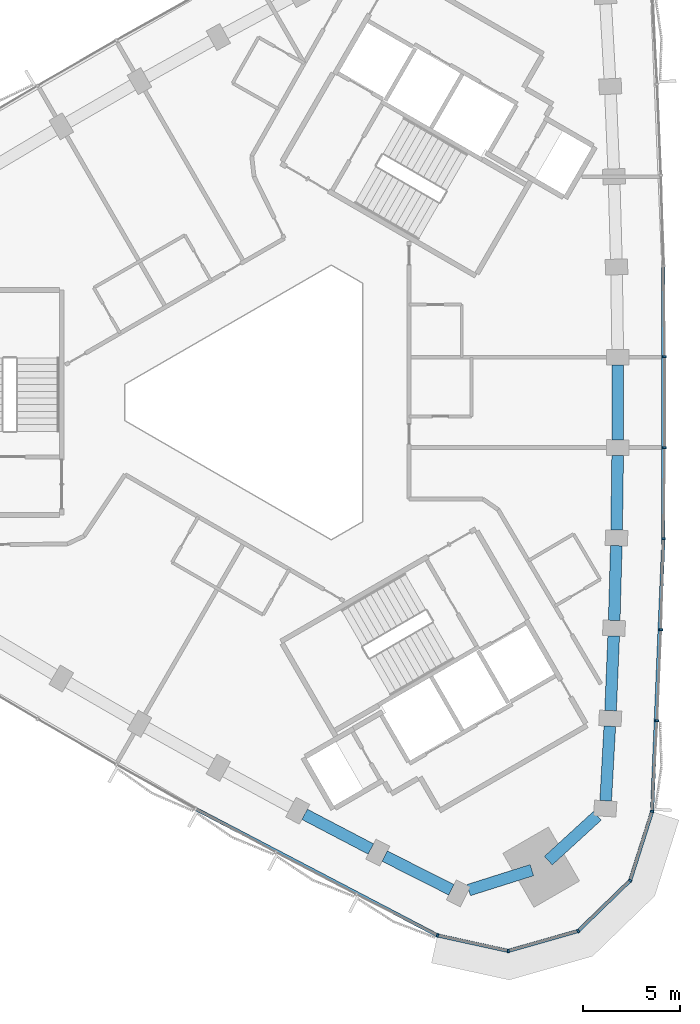
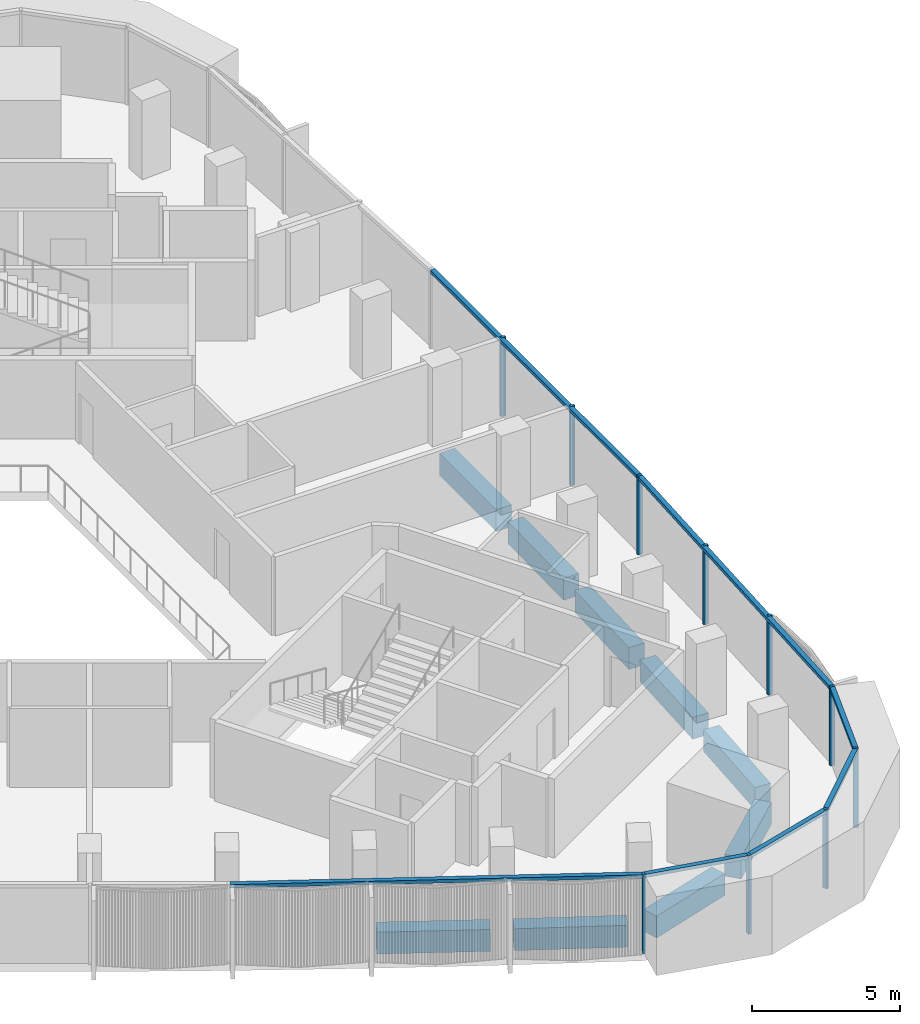
# One storey, part 3 of 13: 17 members, 9 beams, 2 elements without a shape of their own.
"""IFC4 building model written with IfcOpenShell, lengths in metres."""

from ifc_helpers import new_model, si_unit, direction, frame, origin, origin_2d, place, context, subcontext, project, spatial, rectangle, extrude, material, material_profile, profile_set, type_object, element, aggregate, save


model = new_model("IFC4")

# Units and contexts
model_context = context("Model", 3, precision=1e-05, world=origin(), true_north=direction((0.0, 1.0)))
body_context = subcontext(model_context, "Body", "Model", "MODEL_VIEW")
ifc_project = project(units=[si_unit("LENGTHUNIT", "METRE"), si_unit("AREAUNIT", "SQUARE_METRE"), si_unit("VOLUMEUNIT", "CUBIC_METRE"), si_unit("PLANEANGLEUNIT", "RADIAN"), si_unit("MASSUNIT", "GRAM", prefix="KILO")], contexts=[model_context])

# Site, building, storey
site_placement = place(None, origin())
site = spatial("IfcSite", under=ifc_project, at=site_placement, CompositionType="ELEMENT")
building_placement = place(site_placement, origin())
building = spatial("IfcBuilding", under=site, at=building_placement, Name="Tamra Quay Hotel Tower", CompositionType="ELEMENT")
storey_placement = place(building_placement, frame((0.0, 0.0, 193.60009765625)))
storey = spatial("IfcBuildingStorey", under=building, at=storey_placement, Name="L48", CompositionType="ELEMENT", Elevation=193.60009765625)

# Curtain wall, members
ifc_material_1 = material(Name="Aluminium 6063 anodised dark grey", Category="aluminium")
curtain_wall_type_1 = type_object("IfcCurtainWallType", Name="CW1 CURTAIN WALL", PredefinedType="NOTDEFINED", material=ifc_material_1)
curtain_wall_1_placement = place(storey_placement, origin())
curtain_wall_1 = element("IfcCurtainWall", 1, at=curtain_wall_1_placement, inside=storey, type_object=curtain_wall_type_1, Name="CW1 east face L48", PredefinedType="NOTDEFINED")
ifc_material_profile_1 = material_profile(ifc_material_1, rectangle(XDim=0.179931640625, YDim=0.10009765625, at=origin_2d()), Name="MULLION 100X180")
ifc_profile_set_1 = profile_set([ifc_material_profile_1], Name="Aluminium 6063 anodised dark grey")
member_type_1 = type_object("IfcMemberType", Name="MULLION CW1 Z4", PredefinedType="MULLION", material=ifc_profile_set_1)
member_1_placement = place(storey_placement, frame((19.4755859375, -21.00537109375, 0.0), z_axis=(0.0, 0.0, 1.0), x_axis=(0.98350948997, -0.180856526394, 0.0)))
member_1 = element("IfcMember", 2, at=member_1_placement, type_object=member_type_1, Name="CW1 mullion L48.E.1", PredefinedType="MULLION", context=body_context, shape_type="SweptSolid", body=[
    extrude(rectangle(XDim=0.179931640625, YDim=0.10009765625, at=origin_2d()), origin(), (0.0, 0.0, 1.0), 3.25),
])
member_2_placement = place(storey_placement, frame((19.734375, -16.342041015625, 0.0), z_axis=(0.0, 0.0, 1.0), x_axis=(0.998822750777, -0.048508891255, 0.0)))
member_2 = element("IfcMember", 3, at=member_2_placement, type_object=member_type_1, Name="CW1 mullion L48.E.2", PredefinedType="MULLION", context=body_context, shape_type="SweptSolid", body=[
    extrude(rectangle(XDim=0.179931640625, YDim=0.10009765625, at=origin_2d()), origin(), (0.0, 0.0, 1.0), 3.25),
])
member_3_placement = place(storey_placement, frame((19.9287109375, -11.674560546875, 0.0), z_axis=(0.0, 0.0, 1.0), x_axis=(0.999398564951, -0.034677202512, 0.0)))
member_3 = element("IfcMember", 4, at=member_3_placement, type_object=member_type_1, Name="CW1 mullion L48.E.3", PredefinedType="MULLION", context=body_context, shape_type="SweptSolid", body=[
    extrude(rectangle(XDim=0.179931640625, YDim=0.10009765625, at=origin_2d()), origin(), (0.0, 0.0, 1.0), 3.25),
])
member_4_placement = place(storey_placement, frame((20.058349609375, -7.006591796875, 0.0), z_axis=(0.0, 0.0, 1.0), x_axis=(0.999783229349, -0.020820526248, 0.0)))
member_4 = element("IfcMember", 5, at=member_4_placement, type_object=member_type_1, Name="CW1 mullion L48.E.4", PredefinedType="MULLION", context=body_context, shape_type="SweptSolid", body=[
    extrude(rectangle(XDim=0.179931640625, YDim=0.10009765625, at=origin_2d()), origin(), (0.0, 0.0, 1.0), 3.25),
])
member_5_placement = place(storey_placement, frame((20.123291015625, -2.335693359375, 0.0), z_axis=(0.0, 0.0, 1.0), x_axis=(0.999975894313, -0.006943399247, 0.0)))
member_5 = element("IfcMember", 6, at=member_5_placement, type_object=member_type_1, Name="CW1 mullion L48.E.5", PredefinedType="MULLION", context=body_context, shape_type="SweptSolid", body=[
    extrude(rectangle(XDim=0.179931640625, YDim=0.10009765625, at=origin_2d()), origin(), (0.0, 0.0, 1.0), 3.25),
])
member_6_placement = place(storey_placement, frame((20.123291015625, 2.335693359375, 0.0), z_axis=(0.0, 0.0, 1.0), x_axis=(0.999975894313, 0.006943399247, 0.0)))
member_6 = element("IfcMember", 7, at=member_6_placement, type_object=member_type_1, Name="CW1 mullion L48.E.6", PredefinedType="MULLION", context=body_context, shape_type="SweptSolid", body=[
    extrude(rectangle(XDim=0.179931640625, YDim=0.10009765625, at=origin_2d()), origin(), (0.0, 0.0, 1.0), 3.25),
])

curtain_wall_type_2 = type_object("IfcCurtainWallType", Name="CW3 CURTAIN WALL", PredefinedType="NOTDEFINED", material=ifc_material_1)
curtain_wall_2_placement = place(storey_placement, origin())
curtain_wall_2 = element("IfcCurtainWall", 8, at=curtain_wall_2_placement, inside=storey, type_object=curtain_wall_type_2, Name="CW3 south-west face L48", PredefinedType="NOTDEFINED")
ifc_material_profile_2 = material_profile(ifc_material_1, rectangle(XDim=0.179931640625, YDim=0.10009765625, at=origin_2d()), Name="MULLION 100X180")
ifc_profile_set_2 = profile_set([ifc_material_profile_2], Name="Aluminium 6063 anodised dark grey")
member_type_2 = type_object("IfcMemberType", Name="MULLION CW3 Z4", PredefinedType="MULLION", material=ifc_profile_set_2)
member_7_placement = place(storey_placement, frame((8.453369140625, -27.369140625, 0.0), z_axis=(0.0, 0.0, 1.0), x_axis=(-0.335128398687, -0.942172466374, 0.0)))
member_7 = element("IfcMember", 9, at=member_7_placement, type_object=member_type_2, Name="CW3 mullion L48.SW.10", PredefinedType="MULLION", context=body_context, shape_type="SweptSolid", body=[
    extrude(rectangle(XDim=0.179931640625, YDim=0.10009765625, at=origin_2d()), origin(), (0.0, 0.0, 1.0), 3.25),
])
member_8_placement = place(storey_placement, frame((12.091064453125, -28.164794921875, 0.0), z_axis=(0.0, 0.0, 1.0), x_axis=(0.030975337936, -0.999520149091, 0.0)))
member_8 = element("IfcMember", 10, at=member_8_placement, type_object=member_type_2, Name="CW3 mullion L48.SW.11", PredefinedType="MULLION", context=body_context, shape_type="SweptSolid", body=[
    extrude(rectangle(XDim=0.179931640625, YDim=0.10009765625, at=origin_2d()), origin(), (0.0, 0.0, 1.0), 3.25),
])
member_9_placement = place(storey_placement, frame((15.67236328125, -27.145263671875, 0.0), z_axis=(0.0, 0.0, 1.0), x_axis=(0.5, -0.866025403784, 0.0)))
member_9 = element("IfcMember", 11, at=member_9_placement, type_object=member_type_2, Name="CW3 mullion L48.SW.12", PredefinedType="MULLION", context=body_context, shape_type="SweptSolid", body=[
    extrude(rectangle(XDim=0.179931640625, YDim=0.10009765625, at=origin_2d()), origin(), (0.0, 0.0, 1.0), 3.25),
])
member_10_placement = place(storey_placement, frame((18.345947265625, -24.553466796875, 0.0), z_axis=(0.0, 0.0, 1.0), x_axis=(0.85012217174, -0.526585504089, 0.0)))
member_10 = element("IfcMember", 12, at=member_10_placement, type_object=member_type_2, Name="CW3 mullion L48.SW.13", PredefinedType="MULLION", context=body_context, shape_type="SweptSolid", body=[
    extrude(rectangle(XDim=0.179931640625, YDim=0.10009765625, at=origin_2d()), origin(), (0.0, 0.0, 1.0), 3.25),
])

# Beams
ifc_material_2 = material(Name="Concrete M60", Category="concrete")
ifc_material_profile_3 = material_profile(ifc_material_2, rectangle(XDim=0.60009765625, YDim=0.89990234375, at=origin_2d()), Name="SPANDREL BEAM RC 600x900")
ifc_profile_set_3 = profile_set([ifc_material_profile_3], Name="Concrete M60")
beam_type = type_object("IfcBeamType", Name="SPANDREL BEAM RC 600x900", PredefinedType="SPANDREL", material=ifc_profile_set_3)
beam_1_placement = place(storey_placement, frame((17.091796875, -20.456787109375, -0.800048828125), z_axis=(0.055346700292, 0.99846719664, 0.0), x_axis=(-0.99846719664, 0.055346700292, 0.0)))
element("IfcBeam", 13, at=beam_1_placement, inside=storey, type_object=beam_type, Name="BM-SP4-000-L48", PredefinedType="SPANDREL", context=body_context, shape_type="SweptSolid", body=[
    extrude(rectangle(XDim=0.60009765625, YDim=0.89990234375, at=origin_2d()), origin(), (0.0, 0.0, 1.0), 3.837646484375),
])
beam_2_placement = place(storey_placement, frame((17.343017578125, -15.82568359375, -0.800048828125), z_axis=(0.041609373826, 0.999133954988, 0.0), x_axis=(-0.999133954988, 0.041609373826, 0.0)))
element("IfcBeam", 14, at=beam_2_placement, inside=storey, type_object=beam_type, Name="BM-SP4-001-L48", PredefinedType="SPANDREL", context=body_context, shape_type="SweptSolid", body=[
    extrude(rectangle(XDim=0.60009765625, YDim=0.89990234375, at=origin_2d()), origin(), (0.0, 0.0, 1.0), 3.83740234375),
])
beam_3_placement = place(storey_placement, frame((17.530517578125, -11.192138671875, -0.800048828125), z_axis=(0.02773528523, 0.999615302981, 0.0), x_axis=(-0.999615302981, 0.02773528523, 0.0)))
element("IfcBeam", 15, at=beam_3_placement, inside=storey, type_object=beam_type, Name="BM-SP4-002-L48", PredefinedType="SPANDREL", context=body_context, shape_type="SweptSolid", body=[
    extrude(rectangle(XDim=0.60009765625, YDim=0.89990234375, at=origin_2d()), origin(), (0.0, 0.0, 1.0), 3.837890625),
])
for number, where, z_axis, x_axis, name in (
    (16, (17.65380859375, -6.555908203125, -0.800048828125), (0.01380539035, 0.999904701058, 0.0), (-0.999904701058, 0.01380539035, 0.0), "BM-SP4-003-L48"),
    (17, (17.71240234375, -1.918701171875, -0.800048828125), (0.0, 1.0, 0.0), (-1.0, 0.0, 0.0), "BM-SP4-004-L48"),
    (18, (1.6337890625, -21.153564453125, -0.800048828125), (0.886043134182, -0.463602808845, 0.0), (0.463602808845, 0.886043134182, 0.0), "BM-SP4-029-L48"),
):
    element("IfcBeam", number, at=place(storey_placement, frame(where, z_axis=z_axis, x_axis=x_axis)), inside=storey, type_object=beam_type, Name=name, PredefinedType="SPANDREL", context=body_context, shape_type="SweptSolid", body=[
        extrude(rectangle(XDim=0.60009765625, YDim=0.89990234375, at=origin_2d()), origin(), (0.0, 0.0, 1.0), 3.83740234375),
    ])
beam_4_placement = place(storey_placement, frame((5.745361328125, -23.29833984375, -0.800048828125), z_axis=(0.892407883039, -0.451229620359, 0.0), x_axis=(0.451229620359, 0.892407883039, 0.0)))
element("IfcBeam", 19, at=beam_4_placement, inside=storey, type_object=beam_type, Name="BM-SP4-030-L48", PredefinedType="SPANDREL", context=body_context, shape_type="SweptSolid", body=[
    extrude(rectangle(XDim=0.60009765625, YDim=0.89990234375, at=origin_2d()), origin(), (0.0, 0.0, 1.0), 3.837646484375),
])
beam_5_placement = place(storey_placement, frame((10.057373046875, -25.043212890625, -0.800048828125), z_axis=(0.953502415748, 0.301385373174, 0.0), x_axis=(-0.301385373174, 0.953502415748, 0.0)))
element("IfcBeam", 20, at=beam_5_placement, inside=storey, type_object=beam_type, Name="BM-SP4-031-L48", PredefinedType="SPANDREL", context=body_context, shape_type="SweptSolid", body=[
    extrude(rectangle(XDim=0.60009765625, YDim=0.89990234375, at=origin_2d()), origin(), (0.0, 0.0, 1.0), 3.40380859375),
])
beam_6_placement = place(storey_placement, frame((14.14794921875, -23.52978515625, -0.800048828125), z_axis=(0.737716497183, 0.675110635218, 0.0), x_axis=(-0.675110635218, 0.737716497183, 0.0)))
element("IfcBeam", 21, at=beam_6_placement, inside=storey, type_object=beam_type, Name="BM-SP4-032-L48", PredefinedType="SPANDREL", context=body_context, shape_type="SweptSolid", body=[
    extrude(rectangle(XDim=0.60009765625, YDim=0.89990234375, at=origin_2d()), origin(), (0.0, 0.0, 1.0), 3.404296875),
])

# Member
ifc_material_profile_4 = material_profile(ifc_material_1, rectangle(XDim=0.179931640625, YDim=0.139892578125, at=origin_2d()), Name="TRANSOM 180X140")
ifc_profile_set_4 = profile_set([ifc_material_profile_4], Name="Aluminium 6063 anodised dark grey")
member_type_3 = type_object("IfcMemberType", Name="TRANSOM CW1 Z4", PredefinedType="USERDEFINED", material=ifc_profile_set_4)
member_11_placement = place(storey_placement, frame((19.478515625, -20.95556640625, 3.179931640625), z_axis=(0.041576525187, 0.999135322443, 0.0), x_axis=(-0.999135322443, 0.041576525187, 0.0)))
member_11 = element("IfcMember", 22, at=member_11_placement, type_object=member_type_3, Name="CW1 transom L48.E.1", ObjectType="TRANSOM", PredefinedType="USERDEFINED", context=body_context, shape_type="SweptSolid", body=[
    extrude(rectangle(XDim=0.179931640625, YDim=0.139892578125, at=origin_2d()), origin(), (0.0, 0.0, 1.0), 13.910888671875),
])

member_12_placement = place(storey_placement, frame((20.05908203125, -6.956787109375, 3.179931640625), z_axis=(0.0, 1.0, 0.0), x_axis=(-1.0, 0.0, 0.0)))
member_12 = element("IfcMember", 23, at=member_12_placement, type_object=member_type_3, Name="CW1 transom L48.E.4", ObjectType="TRANSOM", PredefinedType="USERDEFINED", context=body_context, shape_type="SweptSolid", body=[
    extrude(rectangle(XDim=0.179931640625, YDim=0.139892578125, at=origin_2d()), origin(), (0.0, 0.0, 1.0), 13.91357421875),
])

aggregate(curtain_wall_1, [member_1, member_11, member_2, member_3, member_4, member_12, member_5, member_6])

ifc_material_profile_5 = material_profile(ifc_material_1, rectangle(XDim=0.179931640625, YDim=0.139892578125, at=origin_2d()), Name="TRANSOM 180X140")
ifc_profile_set_5 = profile_set([ifc_material_profile_5], Name="Aluminium 6063 anodised dark grey")
member_type_4 = type_object("IfcMemberType", Name="TRANSOM CW3 Z4", PredefinedType="USERDEFINED", material=ifc_profile_set_5)
member_13_placement = place(storey_placement, frame((-3.917236328125, -20.898193359375, 3.179931640625), z_axis=(0.886073593198, -0.463544590559, 0.0), x_axis=(0.463544590559, 0.886073593198, 0.0)))
member_13 = element("IfcMember", 24, at=member_13_placement, type_object=member_type_4, Name="CW3 transom L48.SW.7", ObjectType="TRANSOM", PredefinedType="USERDEFINED", context=body_context, shape_type="SweptSolid", body=[
    extrude(rectangle(XDim=0.179931640625, YDim=0.139892578125, at=origin_2d()), origin(), (0.0, 0.0, 1.0), 13.91064453125),
])

member_14_placement = place(storey_placement, frame((8.502197265625, -27.3798828125, 3.179931640625), z_axis=(0.976912322542, -0.21364061895, 0.0), x_axis=(0.21364061895, 0.976912322542, 0.0)))
member_14 = element("IfcMember", 25, at=member_14_placement, type_object=member_type_4, Name="CW3 transom L48.SW.10", ObjectType="TRANSOM", PredefinedType="USERDEFINED", context=body_context, shape_type="SweptSolid", body=[
    extrude(rectangle(XDim=0.179931640625, YDim=0.139892578125, at=origin_2d()), origin(), (0.0, 0.0, 1.0), 3.623779296875),
])

member_15_placement = place(storey_placement, frame((12.13916015625, -28.151123046875, 3.179931640625), z_axis=(0.961782850697, 0.273813345375, 0.0), x_axis=(-0.273813345375, 0.961782850697, 0.0)))
member_15 = element("IfcMember", 26, at=member_15_placement, type_object=member_type_4, Name="CW3 transom L48.SW.11", ObjectType="TRANSOM", PredefinedType="USERDEFINED", context=body_context, shape_type="SweptSolid", body=[
    extrude(rectangle(XDim=0.179931640625, YDim=0.139892578125, at=origin_2d()), origin(), (0.0, 0.0, 1.0), 3.62353515625),
])

member_16_placement = place(storey_placement, frame((15.708251953125, -27.110595703125, 3.179931640625), z_axis=(0.718003439243, 0.696039554361, 0.0), x_axis=(-0.696039554361, 0.718003439243, 0.0)))
member_16 = element("IfcMember", 27, at=member_16_placement, type_object=member_type_4, Name="CW3 transom L48.SW.12", ObjectType="TRANSOM", PredefinedType="USERDEFINED", context=body_context, shape_type="SweptSolid", body=[
    extrude(rectangle(XDim=0.179931640625, YDim=0.139892578125, at=origin_2d()), origin(), (0.0, 0.0, 1.0), 3.623779296875),
])

member_17_placement = place(storey_placement, frame((18.361083984375, -24.505859375, 3.179931640625), z_axis=(0.303384410911, 0.952868248614, 0.0), x_axis=(-0.952868248614, 0.303384410911, 0.0)))
member_17 = element("IfcMember", 28, at=member_17_placement, type_object=member_type_4, Name="CW3 transom L48.SW.13", ObjectType="TRANSOM", PredefinedType="USERDEFINED", context=body_context, shape_type="SweptSolid", body=[
    extrude(rectangle(XDim=0.179931640625, YDim=0.139892578125, at=origin_2d()), origin(), (0.0, 0.0, 1.0), 3.623779296875),
])

aggregate(curtain_wall_2, [member_13, member_7, member_14, member_8, member_15, member_9, member_16, member_10, member_17])

save(model, "model.ifc")
